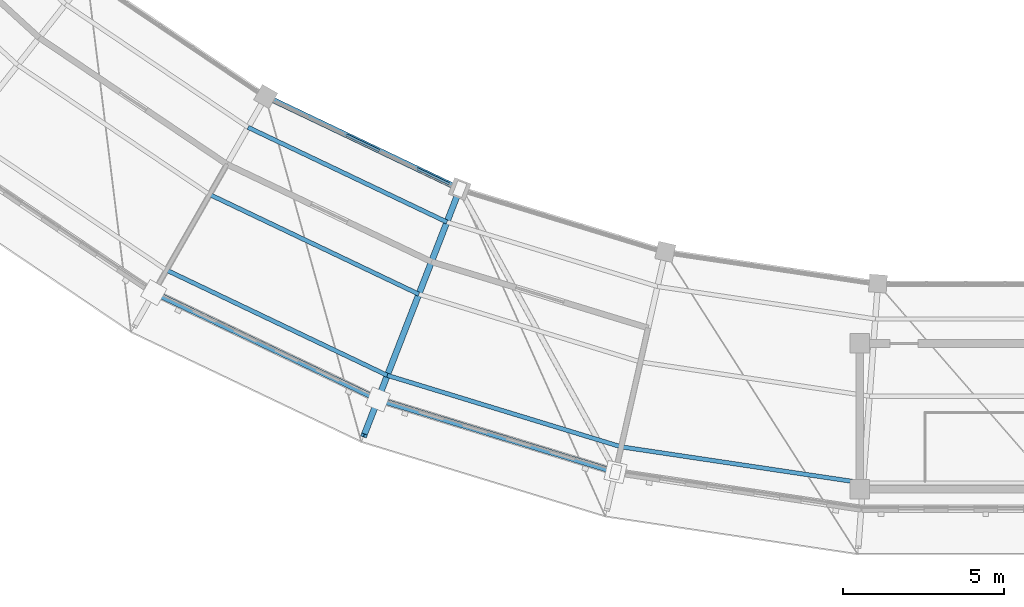
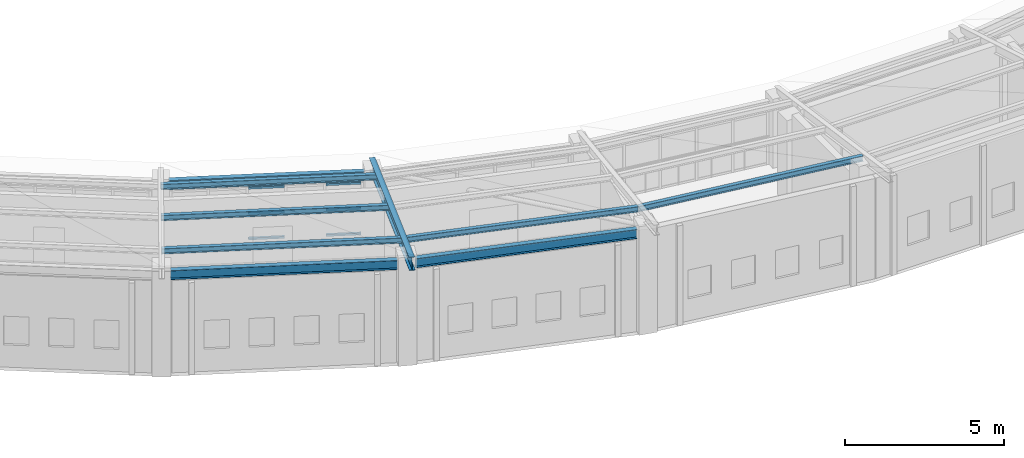
# One storey, part 32 of 149: 12 members, 3 beams, 1 element without a shape of its own.
"""IFC4 building model written with IfcOpenShell, lengths in metres."""

from ifc_helpers import new_model, si_unit, direction, frame, origin, origin_2d, place, context, subcontext, project, spatial, hollow_rectangle, i_section, extrude, material, material_profile, profile_set, type_object, element, aggregate, save


model = new_model("IFC4")

# Units and contexts
model_context = context("Model", 3, precision=1e-05, world=origin(), true_north=direction((0.0, 1.0)))
body_context = subcontext(model_context, "Body", "Model", "MODEL_VIEW")
ifc_project = project(units=[si_unit("LENGTHUNIT", "METRE"), si_unit("AREAUNIT", "SQUARE_METRE"), si_unit("VOLUMEUNIT", "CUBIC_METRE"), si_unit("PLANEANGLEUNIT", "RADIAN"), si_unit("MASSUNIT", "GRAM", prefix="KILO")], contexts=[model_context])

# Site, building, storey
site_placement = place(None, origin())
site = spatial("IfcSite", under=ifc_project, at=site_placement, CompositionType="ELEMENT")
building_placement = place(site_placement, origin())
building = spatial("IfcBuilding", under=site, at=building_placement, Name="Celadon Cloister-Ring School", CompositionType="ELEMENT")
storey_placement = place(building_placement, frame((0.0, 0.0, 12.5)))
storey = spatial("IfcBuildingStorey", under=building, at=storey_placement, Name="L03", CompositionType="ELEMENT", Elevation=12.5)

# Curtain wall, members
ifc_material_1 = material(Name="Aluminium EN AW-6063 T6", Category="aluminium")
curtain_wall_type = type_object("IfcCurtainWallType", Name="CW-02", PredefinedType="USERDEFINED", material=ifc_material_1)
curtain_wall_placement = place(storey_placement, origin())
curtain_wall = element("IfcCurtainWall", 1, at=curtain_wall_placement, inside=storey, type_object=curtain_wall_type, Name="Curtain Wall 0058", ObjectType="CURTAIN WALL", PredefinedType="USERDEFINED")
ifc_material_2 = material(Name="Aluminium EN AW-6063 T6", Category="aluminium")
ifc_material_profile_1 = material_profile(ifc_material_2, hollow_rectangle(XDim=0.074951171875, YDim=0.074951171875, WallThickness=0.00390625, at=origin_2d()), Name="RHS75X75X4")
ifc_profile_set_1 = profile_set([ifc_material_profile_1], Name="Aluminium EN AW-6063 T6")
member_type_1 = type_object("IfcMemberType", Name="CTM-03", PredefinedType="USERDEFINED", material=ifc_profile_set_1)
member_1_placement = place(storey_placement, frame((67.173828125, 18.7373046875, 0.03759765625), z_axis=(0.902611350539, -0.430456443647, 0.0), x_axis=(0.430456443647, 0.902611350539, 0.0)))
member_1 = element("IfcMember", 2, at=member_1_placement, type_object=member_type_1, Name="CW-02 transom 3.1", ObjectType="TRANSOM", PredefinedType="USERDEFINED", context=body_context, shape_type="SweptSolid", body=[
    extrude(hollow_rectangle(XDim=0.074951171875, YDim=0.074951171875, WallThickness=0.00390625, at=origin_2d()), origin(), (0.0, 0.0, 1.0), 1.1416015625),
])
member_2_placement = place(storey_placement, frame((67.173828125, 18.7373046875, 1.010009765625), z_axis=(0.902611350539, -0.430456443647, 0.0), x_axis=(0.430456443647, 0.902611350539, 0.0)))
member_2 = element("IfcMember", 3, at=member_2_placement, type_object=member_type_1, Name="CW-02 transom 3.2", ObjectType="TRANSOM", PredefinedType="USERDEFINED", context=body_context, shape_type="SweptSolid", body=[
    extrude(hollow_rectangle(XDim=0.074951171875, YDim=0.074951171875, WallThickness=0.00390625, at=origin_2d()), origin(), (0.0, 0.0, 1.0), 1.1416015625),
])
member_3_placement = place(storey_placement, frame((67.173828125, 18.7373046875, 1.982421875), z_axis=(0.902611350539, -0.430456443647, 0.0), x_axis=(0.430456443647, 0.902611350539, 0.0)))
member_3 = element("IfcMember", 4, at=member_3_placement, type_object=member_type_1, Name="CW-02 transom 3.3", ObjectType="TRANSOM", PredefinedType="USERDEFINED", context=body_context, shape_type="SweptSolid", body=[
    extrude(hollow_rectangle(XDim=0.074951171875, YDim=0.074951171875, WallThickness=0.00390625, at=origin_2d()), origin(), (0.0, 0.0, 1.0), 1.1416015625),
])
member_4_placement = place(storey_placement, frame((69.37939453125, 17.685546875, 0.03759765625), z_axis=(0.902647393196, -0.430380858725, 0.0), x_axis=(0.430380858725, 0.902647393196, 0.0)))
member_4 = element("IfcMember", 5, at=member_4_placement, type_object=member_type_1, Name="CW-02 transom 5.1", ObjectType="TRANSOM", PredefinedType="USERDEFINED", context=body_context, shape_type="SweptSolid", body=[
    extrude(hollow_rectangle(XDim=0.074951171875, YDim=0.074951171875, WallThickness=0.00390625, at=origin_2d()), origin(), (0.0, 0.0, 1.0), 1.1015625),
])
member_5_placement = place(storey_placement, frame((69.37939453125, 17.685546875, 1.010009765625), z_axis=(0.902647393196, -0.430380858725, 0.0), x_axis=(0.430380858725, 0.902647393196, 0.0)))
member_5 = element("IfcMember", 6, at=member_5_placement, type_object=member_type_1, Name="CW-02 transom 5.2", ObjectType="TRANSOM", PredefinedType="USERDEFINED", context=body_context, shape_type="SweptSolid", body=[
    extrude(hollow_rectangle(XDim=0.074951171875, YDim=0.074951171875, WallThickness=0.00390625, at=origin_2d()), origin(), (0.0, 0.0, 1.0), 1.1015625),
])
member_6_placement = place(storey_placement, frame((69.37939453125, 17.685546875, 1.982421875), z_axis=(0.902647393196, -0.430380858725, 0.0), x_axis=(0.430380858725, 0.902647393196, 0.0)))
member_6 = element("IfcMember", 7, at=member_6_placement, type_object=member_type_1, Name="CW-02 transom 5.3", ObjectType="TRANSOM", PredefinedType="USERDEFINED", context=body_context, shape_type="SweptSolid", body=[
    extrude(hollow_rectangle(XDim=0.074951171875, YDim=0.074951171875, WallThickness=0.00390625, at=origin_2d()), origin(), (0.0, 0.0, 1.0), 1.1015625),
])
aggregate(curtain_wall, [member_1, member_2, member_3, member_4, member_5, member_6])

# Beam
ifc_material_3 = material(Name="Structural steel S355JR", Category="steel")
ifc_material_profile_2 = material_profile(ifc_material_3, i_section(OverallWidth=0.1708984375, OverallDepth=0.35498046875, WebThickness=0.007080078125, FlangeThickness=0.01171875, at=origin_2d()), Name="W360X51")
ifc_profile_set_2 = profile_set([ifc_material_profile_2], Name="Structural steel S355JR")
beam_type_1 = type_object("IfcBeamType", Name="GT-08", PredefinedType="USERDEFINED", material=ifc_profile_set_2)
beam_1_placement = place(storey_placement, frame((64.906005859375, 19.818115234375, 2.27197265625), z_axis=(0.902694312047, -0.43028244096, 0.0), x_axis=(0.43028244096, 0.902694312047, 0.0)))
element("IfcBeam", 8, at=beam_1_placement, inside=storey, type_object=beam_type_1, Name="Beam 0553", ObjectType="GIRDER", PredefinedType="USERDEFINED", context=body_context, shape_type="SweptSolid", body=[
    extrude(i_section(OverallWidth=0.1708984375, OverallDepth=0.35498046875, WebThickness=0.007080078125, FlangeThickness=0.01171875, at=origin_2d()), origin(), (0.0, 0.0, 1.0), 6.166015625),
])

# Members
ifc_material_4 = material(Name="Structural steel S355JR", Category="steel")
ifc_material_profile_3 = material_profile(ifc_material_4, i_section(OverallWidth=0.133056640625, OverallDepth=0.20703125, WebThickness=0.005859375, FlangeThickness=0.00830078125, at=origin_2d()), Name="W200X27")
ifc_profile_set_3 = profile_set([ifc_material_profile_3], Name="Structural steel S355JR")
member_type_2 = type_object("IfcMemberType", Name="MP-04", PredefinedType="PURLIN", material=ifc_profile_set_3)
member_7_placement = place(storey_placement, frame((64.134033203125, 18.969970703125, 2.970947265625), z_axis=(0.902732284701, -0.430202768656, 0.0), x_axis=(0.430202768656, 0.902732284701, 0.0)))
element("IfcMember", 9, at=member_7_placement, inside=storey, type_object=member_type_2, Name="Structural Member 0148", PredefinedType="PURLIN", context=body_context, shape_type="SweptSolid", body=[
    extrude(i_section(OverallWidth=0.133056640625, OverallDepth=0.20703125, WebThickness=0.005859375, FlangeThickness=0.00830078125, at=origin_2d()), origin(), (0.0, 0.0, 1.0), 6.829345703125),
])
member_8_placement = place(storey_placement, frame((62.944091796875, 16.885986328125, 3.4599609375), z_axis=(0.902721661143, -0.430225060292, 0.0), x_axis=(0.430225060292, 0.902721661143, 0.0)))
element("IfcMember", 10, at=member_8_placement, inside=storey, type_object=member_type_2, Name="Structural Member 0149", PredefinedType="PURLIN", context=body_context, shape_type="SweptSolid", body=[
    extrude(i_section(OverallWidth=0.133056640625, OverallDepth=0.20703125, WebThickness=0.005859375, FlangeThickness=0.00830078125, at=origin_2d()), origin(), (0.0, 0.0, 1.0), 7.184814453125),
])
member_9_placement = place(storey_placement, frame((61.60498046875, 14.5419921875, 4.073974609375), z_axis=(0.902682550723, -0.430307114303, 0.0), x_axis=(0.430307114303, 0.902682550723, 0.0)))
element("IfcMember", 11, at=member_9_placement, inside=storey, type_object=member_type_2, Name="Structural Member 0150", PredefinedType="PURLIN", context=body_context, shape_type="SweptSolid", body=[
    extrude(i_section(OverallWidth=0.133056640625, OverallDepth=0.20703125, WebThickness=0.005859375, FlangeThickness=0.00830078125, at=origin_2d()), origin(), (0.0, 0.0, 1.0), 7.585205078125),
])
member_10_placement = place(storey_placement, frame((68.451904296875, 11.278076171875, 4.073974609375), z_axis=(0.956333329875, -0.292278227328, 0.0), x_axis=(0.292278227328, 0.956333329875, 0.0)))
element("IfcMember", 12, at=member_10_placement, inside=storey, type_object=member_type_2, Name="Structural Member 0155", PredefinedType="PURLIN", context=body_context, shape_type="SweptSolid", body=[
    extrude(i_section(OverallWidth=0.133056640625, OverallDepth=0.20703125, WebThickness=0.005859375, FlangeThickness=0.00830078125, at=origin_2d()), origin(), (0.0, 0.0, 1.0), 7.58544921875),
])
member_11_placement = place(storey_placement, frame((75.7060546875, 9.06103515625, 4.073974609375), z_axis=(0.989033421291, -0.147691880513, 0.0), x_axis=(0.147691880513, 0.989033421291, 0.0)))
element("IfcMember", 13, at=member_11_placement, inside=storey, type_object=member_type_2, Name="Structural Member 0161", PredefinedType="PURLIN", context=body_context, shape_type="SweptSolid", body=[
    extrude(i_section(OverallWidth=0.133056640625, OverallDepth=0.20703125, WebThickness=0.005859375, FlangeThickness=0.00830078125, at=origin_2d()), origin(), (0.0, 0.0, 1.0), 7.584228515625),
])
ifc_material_5 = material(Name="Structural steel S355JR", Category="steel")
ifc_material_profile_4 = material_profile(ifc_material_5, i_section(OverallWidth=0.18994140625, OverallDepth=0.45703125, WebThickness=0.009033203125, FlangeThickness=0.014404296875, at=origin_2d()), Name="W460X74")
ifc_profile_set_4 = profile_set([ifc_material_profile_4], Name="Structural steel S355JR")
member_type_3 = type_object("IfcMemberType", Name="MR-03", PredefinedType="RAFTER", material=ifc_profile_set_4)
member_12_placement = place(storey_placement, frame((70.697998046875, 17.056884765625, 2.674072265625), z_axis=(-0.353383298568, -0.909085722875, 0.2206431344), x_axis=(0.932056625744, -0.362312636278, 0.0)))
element("IfcMember", 14, at=member_12_placement, inside=storey, type_object=member_type_3, Name="Structural Member 0032", PredefinedType="RAFTER", context=body_context, shape_type="SweptSolid", body=[
    extrude(i_section(OverallWidth=0.18994140625, OverallDepth=0.45703125, WebThickness=0.009033203125, FlangeThickness=0.014404296875, at=origin_2d()), origin(), (0.0, 0.0, 1.0), 8.4072265625),
])

# Beams
ifc_material_6 = material(Name="Structural steel S355JR", Category="steel")
ifc_material_profile_5 = material_profile(ifc_material_6, i_section(OverallWidth=0.1708984375, OverallDepth=0.35498046875, WebThickness=0.007080078125, FlangeThickness=0.01171875, at=origin_2d()), Name="W360X51")
ifc_profile_set_5 = profile_set([ifc_material_profile_5], Name="Structural steel S355JR")
beam_type_2 = type_object("IfcBeamType", Name="SP-04", PredefinedType="SPANDREL", material=ifc_profile_set_5)
beam_2_placement = place(storey_placement, frame((61.4560546875, 13.72900390625, 3.722900390625), z_axis=(0.90265099943, -0.430373295207, 0.0), x_axis=(0.430373295207, 0.90265099943, 0.0)))
element("IfcBeam", 15, at=beam_2_placement, inside=storey, type_object=beam_type_2, Name="Beam 0552", PredefinedType="SPANDREL", context=body_context, shape_type="SweptSolid", body=[
    extrude(i_section(OverallWidth=0.1708984375, OverallDepth=0.35498046875, WebThickness=0.007080078125, FlangeThickness=0.01171875, at=origin_2d()), origin(), (0.0, 0.0, 1.0), 7.154541015625),
])
beam_3_placement = place(storey_placement, frame((68.425048828125, 10.451904296875, 3.722900390625), z_axis=(0.956332228316, -0.292281831601, 0.0), x_axis=(0.292281831601, 0.956332228316, 0.0)))
element("IfcBeam", 16, at=beam_3_placement, inside=storey, type_object=beam_type_2, Name="Beam 0554", PredefinedType="SPANDREL", context=body_context, shape_type="SweptSolid", body=[
    extrude(i_section(OverallWidth=0.1708984375, OverallDepth=0.35498046875, WebThickness=0.007080078125, FlangeThickness=0.01171875, at=origin_2d()), origin(), (0.0, 0.0, 1.0), 7.1533203125),
])

save(model, "model.ifc")
